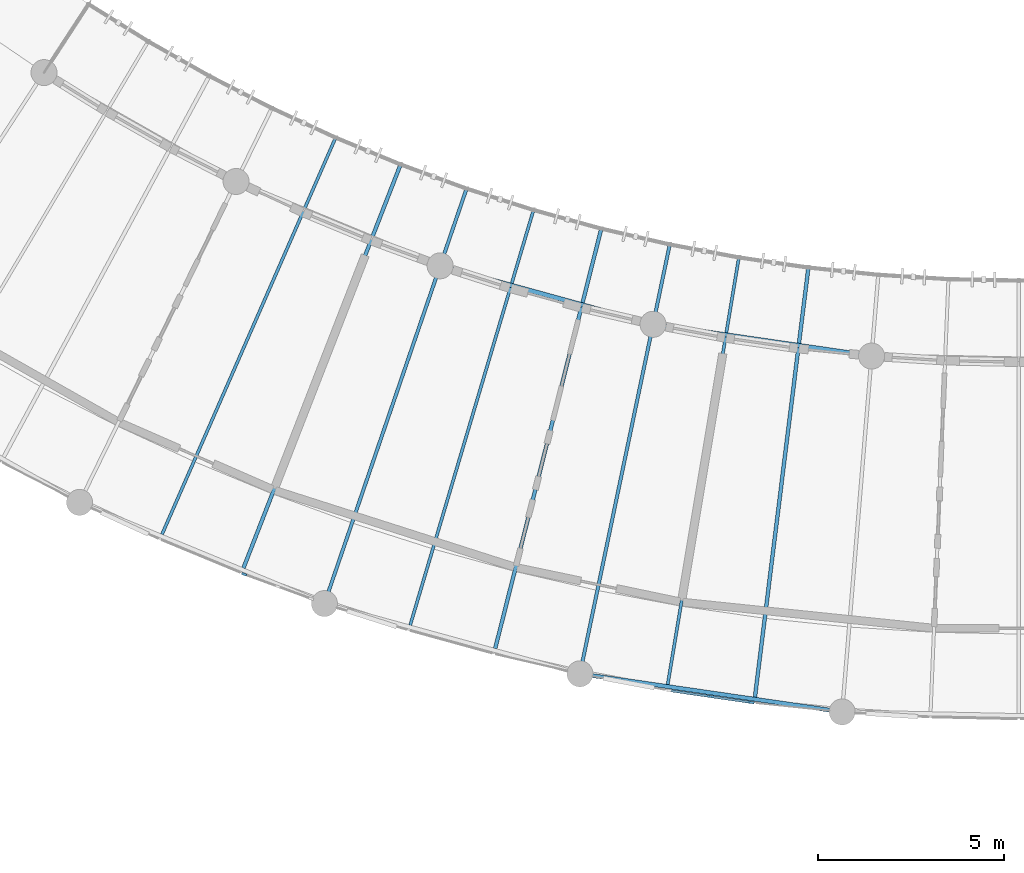
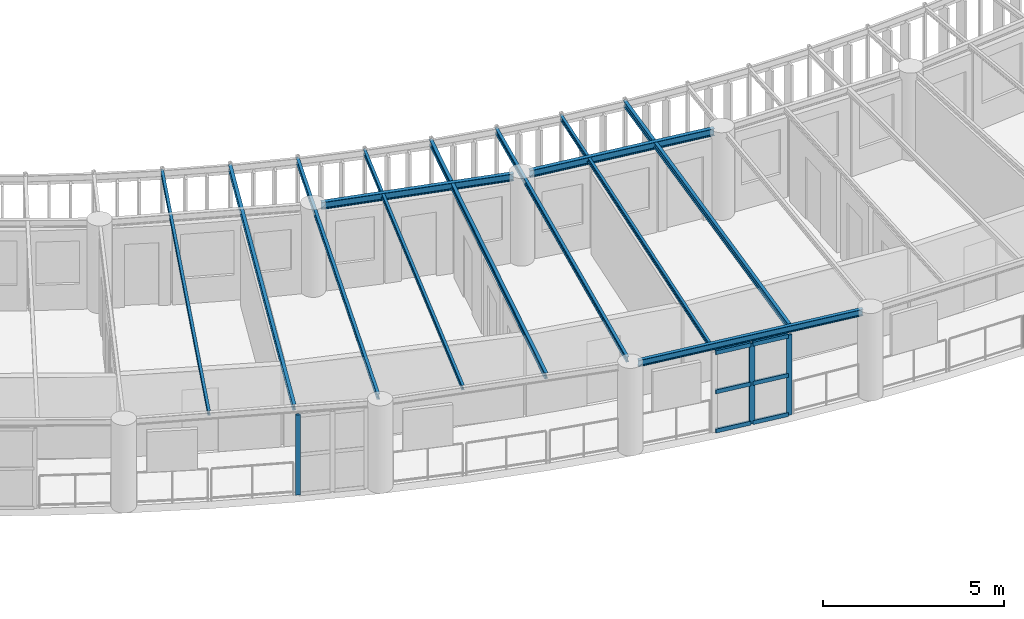
# One storey, part 4 of 123: 11 beams, 9 members, 2 elements without a shape of their own.
"""IFC4 building model written with IfcOpenShell, lengths in metres."""

import ifcopenshell
import ifcopenshell.guid

model = None  # the IFC model being written
_history = None  # IfcOwnerHistory: only IFC2X3 demands one
_inside = {}  # id of a spatial element -> (the spatial element, [elements in it])
_under = {}  # id of a project, library or spatial element -> (it, [spatial elements below it])
_declared = {}  # id of a project -> (the project, [libraries it declares])
_typed = {}  # id of a type object -> (the type object, [elements of that type])
_made_of = {}  # id of a material, layer set ... -> (it, [elements and type objects made of it])


def new_model(schema):
    """Start an empty IFC model of exactly this schema.

    Asked for "IFC4X3", IfcOpenShell would pick the latest addendum, in which some entities
    have other attributes; the version numbers below select the first issue.
    IFC2X3 requires an IfcOwnerHistory on every rooted entity: one is made here for all.
    """
    global model, _history
    if schema == "IFC4X3":
        model = ifcopenshell.file(schema_version=(4, 3, 0, 0))
    else:
        model = ifcopenshell.file(schema=schema)
    _inside.clear()
    _under.clear()
    _declared.clear()
    _typed.clear()
    _made_of.clear()
    _history = None
    if model.schema == "IFC2X3":
        org = make("IfcOrganization", Name="unknown")
        user = make(
            "IfcPersonAndOrganization",
            ThePerson=make("IfcPerson", FamilyName="unknown"),
            TheOrganization=org,
        )
        app = make(
            "IfcApplication",
            ApplicationDeveloper=org,
            Version="unknown",
            ApplicationFullName="unknown",
            ApplicationIdentifier="unknown",
        )
        _history = make(
            "IfcOwnerHistory",
            OwningUser=user,
            OwningApplication=app,
            ChangeAction="ADDED",
            CreationDate=0,
        )
    return model


def make(cls, **values):
    """One entity of the class cls with the attributes given. An attribute that is None is left unset."""
    return model.create_entity(
        cls, **{name: value for name, value in values.items() if value is not None}
    )


def rooted(cls, **values):
    """An entity with a GlobalId (a new one), such as an element, a storey or a relation."""
    return make(cls, GlobalId=ifcopenshell.guid.new(), OwnerHistory=_history, **values)


def si_unit(unit_type, name, prefix=None):
    """IfcSIUnit, for example si_unit("LENGTHUNIT", "METRE", prefix="MILLI")."""
    return make("IfcSIUnit", UnitType=unit_type, Prefix=prefix, Name=name)


def assignment(units):
    """IfcUnitAssignment: the units of a project."""
    return None if units is None else make("IfcUnitAssignment", Units=units)


def point(xyz):
    """IfcCartesianPoint."""
    return None if xyz is None else make("IfcCartesianPoint", Coordinates=xyz)


def direction(xyz):
    """IfcDirection."""
    return None if xyz is None else make("IfcDirection", DirectionRatios=xyz)


def frame(location, z_axis=None, x_axis=None):
    """IfcAxis2Placement3D, a coordinate frame: its origin and axes. An axis left out is left unset."""
    return make(
        "IfcAxis2Placement3D",
        Location=point(location),
        Axis=direction(z_axis),
        RefDirection=direction(x_axis),
    )


def frame_2d(location, x_axis=None):
    """IfcAxis2Placement2D, a coordinate frame in the plane: its origin and x axis."""
    return make(
        "IfcAxis2Placement2D", Location=point(location), RefDirection=direction(x_axis)
    )


def origin():
    """The frame at (0, 0, 0) with its axes left unset."""
    return frame((0.0, 0.0, 0.0))


def origin_2d():
    """The frame at (0, 0) in the plane with its x axis left unset."""
    return frame_2d((0.0, 0.0))


def place(relative_to, where):
    """IfcLocalPlacement: puts the frame where relative to a parent placement (None: the world)."""
    return make(
        "IfcLocalPlacement", PlacementRelTo=relative_to, RelativePlacement=where
    )


def context(
    kind, dimensions, precision=None, world=None, true_north=None, identifier=None
):
    """IfcGeometricRepresentationContext, for example the 3D "Model" context."""
    return make(
        "IfcGeometricRepresentationContext",
        ContextIdentifier=identifier,
        ContextType=kind,
        CoordinateSpaceDimension=dimensions,
        Precision=precision,
        WorldCoordinateSystem=world,
        TrueNorth=true_north,
    )


def subcontext(parent, identifier, kind, view, scale=None):
    """IfcGeometricRepresentationSubContext, for example "Body" below "Model"."""
    return make(
        "IfcGeometricRepresentationSubContext",
        ContextIdentifier=identifier,
        ContextType=kind,
        ParentContext=parent,
        TargetScale=scale,
        TargetView=view,
    )


def project(units=None, contexts=None):
    """IfcProject with its units and contexts."""
    return rooted(
        "IfcProject",
        Name="project",
        RepresentationContexts=contexts,
        UnitsInContext=assignment(units),
    )


def spatial(cls, under=None, at=None, **own):
    """A site, building, storey or space (cls), placed at a placement, below another one or the project."""
    s = rooted(cls, ObjectPlacement=at, **own)
    if under is not None:
        _under.setdefault(under.id(), (under, []))[1].append(s)
    return s


def profile(cls, at=None, kind="AREA", **sizes):
    """A parametric profile (cls). Its sizes go by their IFC names, for example OverallWidth=200.0."""
    return make(cls, ProfileType=kind, Position=at, **sizes)


def rectangle(**sizes):
    """IfcRectangleProfileDef."""
    return profile("IfcRectangleProfileDef", **sizes)


def i_section(**sizes):
    """IfcIShapeProfileDef."""
    return profile("IfcIShapeProfileDef", **sizes)


def extrude(swept, where, along, depth):
    """IfcExtrudedAreaSolid: the profile swept, set in the frame where, extruded along a direction by depth."""
    return make(
        "IfcExtrudedAreaSolid",
        SweptArea=swept,
        Position=where,
        ExtrudedDirection=direction(along),
        Depth=depth,
    )


def shape(context_of_items, identifier, shape_type, items):
    """IfcShapeRepresentation: the items that make up one representation, for example the "Body"."""
    return make(
        "IfcShapeRepresentation",
        ContextOfItems=context_of_items,
        RepresentationIdentifier=identifier,
        RepresentationType=shape_type,
        Items=items,
    )


def material(Name=None, Category=None):
    """IfcMaterial."""
    return make("IfcMaterial", Name=Name, Category=Category)


def layer(
    of_material, thickness, ventilated=None, Name=None, Category=None, Priority=None
):
    """IfcMaterialLayer: one layer of a wall or slab, of a material (None: an air gap)."""
    return make(
        "IfcMaterialLayer",
        Material=of_material,
        LayerThickness=thickness,
        IsVentilated=ventilated,
        Name=Name,
        Category=Category,
        Priority=Priority,
    )


def layer_set(layers, Name=None):
    """IfcMaterialLayerSet."""
    return make("IfcMaterialLayerSet", MaterialLayers=layers, LayerSetName=Name)


def material_profile(
    of_material, cross_section, Name=None, Category=None, Priority=None
):
    """IfcMaterialProfile: a cross section and its material."""
    return make(
        "IfcMaterialProfile",
        Name=Name,
        Material=of_material,
        Profile=cross_section,
        Priority=Priority,
        Category=Category,
    )


def profile_set(profiles, Name=None, composite=None):
    """IfcMaterialProfileSet."""
    return make(
        "IfcMaterialProfileSet",
        Name=Name,
        MaterialProfiles=profiles,
        CompositeProfile=composite,
    )


def made_of(thing, what):
    """Note that an element or type object is made of a material, layer set ...; save() writes the relation."""
    if what is not None:
        _made_of.setdefault(what.id(), (what, []))[1].append(thing)
    return thing


def type_object(cls, material=None, **own):
    """A type object (cls), such as IfcWallType, which elements share."""
    return made_of(rooted(cls, **own), material)


def element(
    cls,
    number,
    at=None,
    inside=None,
    cuts=None,
    type_object=None,
    material=None,
    context=None,
    identifier="Body",
    shape_type=None,
    held_by="IfcProductDefinitionShape",
    body=None,
    shapes=None,
    **own,
):
    """One element of the class cls, such as IfcWall. Its Tag is "e" and its number.

    at: its placement. inside: the storey or other place that contains it. cuts: it is an
    opening in that element (IfcRelVoidsElement). A single representation is given by context,
    identifier, shape_type and body (its items); several are given by shapes. held_by: the class
    of the entity that holds the representations. save() writes the other relations.
    """
    e = rooted(cls, Tag="e%d" % number, ObjectPlacement=at, **own)
    if body is not None:
        shapes = [shape(context, identifier, shape_type, body)]
    if shapes is not None:
        e.Representation = make(held_by, Representations=shapes)
    if inside is not None:
        _inside.setdefault(inside.id(), (inside, []))[1].append(e)
    if cuts is not None:
        rooted(
            "IfcRelVoidsElement", RelatingBuildingElement=cuts, RelatedOpeningElement=e
        )
    if type_object is not None:
        _typed.setdefault(type_object.id(), (type_object, []))[1].append(e)
    return made_of(e, material)


def aggregate(whole, parts):
    """IfcRelAggregates: a whole, such as a stair, and the parts it consists of."""
    return rooted("IfcRelAggregates", RelatingObject=whole, RelatedObjects=parts)


def save(model, path):
    """Write the relations noted so far, then the file.

    IfcRelAggregates (storeys below a building ...), IfcRelContainedInSpatialStructure (elements
    in a storey), IfcRelDefinesByType, IfcRelAssociatesMaterial and IfcRelDeclares: one each for
    every whole, place, type object, material and project.
    """
    for whole, parts in _under.values():
        aggregate(whole, parts)
    for where, things in _inside.values():
        rooted(
            "IfcRelContainedInSpatialStructure",
            RelatedElements=things,
            RelatingStructure=where,
        )
    for kind, things in _typed.values():
        rooted("IfcRelDefinesByType", RelatedObjects=things, RelatingType=kind)
    for what, things in _made_of.values():
        rooted("IfcRelAssociatesMaterial", RelatedObjects=things, RelatingMaterial=what)
    for by, libraries in _declared.values():
        rooted("IfcRelDeclares", RelatingContext=by, RelatedDefinitions=libraries)
    model.write(path)


model = new_model("IFC4")

# Units and contexts
model_context = context("Model", 3, precision=1e-05, world=origin(), true_north=direction((0.0, 1.0)))
body_context = subcontext(model_context, "Body", "Model", "MODEL_VIEW")
ifc_project = project(units=[si_unit("LENGTHUNIT", "METRE"), si_unit("AREAUNIT", "SQUARE_METRE"), si_unit("VOLUMEUNIT", "CUBIC_METRE"), si_unit("PLANEANGLEUNIT", "RADIAN"), si_unit("MASSUNIT", "GRAM", prefix="KILO"), si_unit("POWERUNIT", "WATT"), si_unit("THERMODYNAMICTEMPERATUREUNIT", "KELVIN")], contexts=[model_context])

# Site, building, storey
site_placement = place(None, origin())
site = spatial("IfcSite", under=ifc_project, at=site_placement, CompositionType="ELEMENT")
building_placement = place(site_placement, origin())
building = spatial("IfcBuilding", under=site, at=building_placement, Name="Ruvembo Vaulted Housing Court", CompositionType="ELEMENT")
storey_placement = place(building_placement, frame((0.0, 0.0, 7.699951171875)))
storey = spatial("IfcBuildingStorey", under=building, at=storey_placement, Name="L02", CompositionType="ELEMENT", Elevation=7.699951171875)

# Beams
ifc_material_1 = material(Name="Steel S355J2", Category="steel")
ifc_material_profile_1 = material_profile(ifc_material_1, i_section(OverallWidth=0.08203125, OverallDepth=0.159912109375, WebThickness=0.0048828125, FlangeThickness=0.00732421875, FilletRadius=0.009033203125, at=origin_2d()), Name="IPE 160")
ifc_profile_set_1 = profile_set([ifc_material_profile_1], Name="Steel S355J2")
beam_type_1 = type_object("IfcBeamType", Name="BM-ST-IPE160", PredefinedType="JOIST", material=ifc_profile_set_1)
beam_1_placement = place(storey_placement, frame((45.9658203125, 9.367919921875, 2.860107421875), z_axis=(0.400923991771, 0.916111321196, 0.0), x_axis=(-0.916111321196, 0.400923991771, 0.0)))
element("IfcBeam", 1, at=beam_1_placement, inside=storey, type_object=beam_type_1, Name="Scoop SC2 L02 Radial Steel Joist 4", PredefinedType="JOIST", context=body_context, shape_type="SweptSolid", body=[
    extrude(i_section(OverallWidth=0.08203125, OverallDepth=0.159912109375, WebThickness=0.0048828125, FlangeThickness=0.00732421875, FilletRadius=0.009033203125, at=origin_2d()), origin(), (0.0, 0.0, 1.0), 11.691650390625),
])
for number, where, z_axis, x_axis, name in (
    (2, (52.638916015625, 6.9267578125, 2.860107421875), (0.28479137609, 0.958589522217, 0.0), (-0.958589522217, 0.28479137609, 0.0), "Scoop SC2 L02 Radial Steel Joist 7"),
    (3, (59.5625, 5.328369140625, 2.860107421875), (0.164290631564, 0.986411977006, 0.0), (-0.986411977006, 0.164290631564, 0.0), "Scoop SC2 L02 Radial Steel Joist 10"),
):
    element("IfcBeam", number, at=place(storey_placement, frame(where, z_axis=z_axis, x_axis=x_axis)), inside=storey, type_object=beam_type_1, Name=name, PredefinedType="JOIST", context=body_context, shape_type="SweptSolid", body=[
        extrude(i_section(OverallWidth=0.08203125, OverallDepth=0.159912109375, WebThickness=0.0048828125, FlangeThickness=0.00732421875, FilletRadius=0.009033203125, at=origin_2d()), origin(), (0.0, 0.0, 1.0), 11.692138671875),
    ])
ifc_material_profile_2 = material_profile(ifc_material_1, i_section(OverallWidth=0.091064453125, OverallDepth=0.179931640625, WebThickness=0.00537109375, FlangeThickness=0.008056640625, FilletRadius=0.009033203125, at=origin_2d()), Name="IPE 180")
ifc_profile_set_2 = profile_set([ifc_material_profile_2], Name="Steel S355J2")
beam_type_2 = type_object("IfcBeamType", Name="BM-ST-IPE180", PredefinedType="JOIST", material=ifc_profile_set_2)
for number, where, z_axis, x_axis, name in (
    (4, (50.408203125, 7.72607421875, 2.85009765625), (0.324071094468, 0.946032729735, 0.0), (-0.946032729735, 0.324071094468, 0.0), "Scoop SC2 L02 Radial Steel Joist 6"),
    (5, (57.250244140625, 5.84619140625, 2.85009765625), (0.204819113589, 0.978799842005, 0.0), (-0.978799842005, 0.204819113589, 0.0), "Scoop SC2 L02 Radial Steel Joist 9"),
):
    element("IfcBeam", number, at=place(storey_placement, frame(where, z_axis=z_axis, x_axis=x_axis)), inside=storey, type_object=beam_type_2, Name=name, PredefinedType="JOIST", context=body_context, shape_type="SweptSolid", body=[
        extrude(i_section(OverallWidth=0.091064453125, OverallDepth=0.179931640625, WebThickness=0.00537109375, FlangeThickness=0.008056640625, FilletRadius=0.009033203125, at=origin_2d()), origin(), (0.0, 0.0, 1.0), 11.60986328125),
    ])
ifc_material_profile_3 = material_profile(ifc_material_1, i_section(OverallWidth=0.10009765625, OverallDepth=0.199951171875, WebThickness=0.005615234375, FlangeThickness=0.008544921875, FilletRadius=0.011962890625, at=origin_2d()), Name="IPE 200")
ifc_profile_set_3 = profile_set([ifc_material_profile_3], Name="Steel S355J2")
beam_type_3 = type_object("IfcBeamType", Name="BM-ST-IPE200", PredefinedType="BEAM", material=ifc_profile_set_3)
beam_2_placement = place(storey_placement, frame((48.156005859375, 8.46240234375, 2.840087890625), z_axis=(0.362802942669, 0.931865883478, 0.0), x_axis=(-0.931865883478, 0.362802942669, 0.0)))
element("IfcBeam", 6, at=beam_2_placement, inside=storey, type_object=beam_type_3, Name="Scoop SC2 L02 Radial Steel Joist 5", PredefinedType="BEAM", context=body_context, shape_type="SweptSolid", body=[
    extrude(i_section(OverallWidth=0.10009765625, OverallDepth=0.199951171875, WebThickness=0.005615234375, FlangeThickness=0.008544921875, FilletRadius=0.011962890625, at=origin_2d()), origin(), (0.0, 0.0, 1.0), 11.692138671875),
])
beam_3_placement = place(storey_placement, frame((54.92431640625, 6.299072265625, 2.840087890625), z_axis=(0.24500130138, 0.96952274977, 0.0), x_axis=(-0.96952274977, 0.24500130138, 0.0)))
element("IfcBeam", 7, at=beam_3_placement, inside=storey, type_object=beam_type_3, Name="Scoop SC2 L02 Radial Steel Joist 8", PredefinedType="BEAM", context=body_context, shape_type="SweptSolid", body=[
    extrude(i_section(OverallWidth=0.10009765625, OverallDepth=0.199951171875, WebThickness=0.005615234375, FlangeThickness=0.008544921875, FilletRadius=0.011962890625, at=origin_2d()), origin(), (0.0, 0.0, 1.0), 11.69189453125),
])
beam_4_placement = place(storey_placement, frame((61.907958984375, 4.9873046875, 2.840087890625), z_axis=(0.123446200649, 0.992351266208, 0.0), x_axis=(-0.992351266208, 0.123446200649, 0.0)))
element("IfcBeam", 8, at=beam_4_placement, inside=storey, type_object=beam_type_3, Name="Scoop SC2 L02 Radial Steel Joist 11", PredefinedType="BEAM", context=body_context, shape_type="SweptSolid", body=[
    extrude(i_section(OverallWidth=0.10009765625, OverallDepth=0.199951171875, WebThickness=0.005615234375, FlangeThickness=0.008544921875, FilletRadius=0.011962890625, at=origin_2d()), origin(), (0.0, 0.0, 1.0), 11.692138671875),
])
ifc_material_profile_4 = material_profile(ifc_material_1, i_section(OverallWidth=0.110107421875, OverallDepth=0.219970703125, WebThickness=0.005859375, FlangeThickness=0.00927734375, FilletRadius=0.011962890625, at=origin_2d()), Name="IPE 220")
ifc_profile_set_4 = profile_set([ifc_material_profile_4], Name="Steel S355J2")
beam_type_4 = type_object("IfcBeamType", Name="BM-ST-IPE220", PredefinedType="SPANDREL", material=ifc_profile_set_4)
beam_5_placement = place(storey_placement, frame((57.4306640625, 5.587890625, 2.83203125), z_axis=(0.98959175185, -0.143903317091, 0.0), x_axis=(0.143903317091, 0.98959175185, 0.0)))
element("IfcBeam", 9, at=beam_5_placement, inside=storey, type_object=beam_type_4, Name="Scoop SC2 L02 Chord Girder B9", PredefinedType="SPANDREL", context=body_context, shape_type="SweptSolid", body=[
    extrude(i_section(OverallWidth=0.110107421875, OverallDepth=0.219970703125, WebThickness=0.005859375, FlangeThickness=0.00927734375, FilletRadius=0.011962890625, at=origin_2d()), origin(), (0.0, 0.0, 1.0), 6.6640625),
])
ifc_material_profile_5 = material_profile(ifc_material_1, i_section(OverallWidth=0.1201171875, OverallDepth=0.239990234375, WebThickness=0.006103515625, FlangeThickness=0.009765625, FilletRadius=0.014892578125, at=origin_2d()), Name="IPE 240")
ifc_profile_set_5 = profile_set([ifc_material_profile_5], Name="Steel S355J2")
beam_type_5 = type_object("IfcBeamType", Name="BM-ST-IPE240", PredefinedType="BEAM", material=ifc_profile_set_5)
beam_6_placement = place(storey_placement, frame((53.66650390625, 16.529541015625, 2.822021484375), z_axis=(0.964256945688, -0.264968946658, 0.0), x_axis=(0.264968946658, 0.964256945688, 0.0)))
element("IfcBeam", 10, at=beam_6_placement, inside=storey, type_object=beam_type_5, Name="Scoop SC2 L02 Chord Girder F6", PredefinedType="BEAM", context=body_context, shape_type="SweptSolid", body=[
    extrude(i_section(OverallWidth=0.1201171875, OverallDepth=0.239990234375, WebThickness=0.006103515625, FlangeThickness=0.009765625, FilletRadius=0.014892578125, at=origin_2d()), origin(), (0.0, 0.0, 1.0), 5.476806640625),
])
beam_7_placement = place(storey_placement, frame((59.39697265625, 14.984375, 2.822021484375), z_axis=(0.989592441839, -0.143898572109, 0.0), x_axis=(0.143898572109, 0.989592441839, 0.0)))
element("IfcBeam", 11, at=beam_7_placement, inside=storey, type_object=beam_type_5, Name="Scoop SC2 L02 Chord Girder F9", PredefinedType="BEAM", context=body_context, shape_type="SweptSolid", body=[
    extrude(i_section(OverallWidth=0.1201171875, OverallDepth=0.239990234375, WebThickness=0.006103515625, FlangeThickness=0.009765625, FilletRadius=0.014892578125, at=origin_2d()), origin(), (0.0, 0.0, 1.0), 5.4765625),
])

# Curtain wall, member
ifc_material_2 = material(Name="Anodised Aluminium and Solar-Control Glass", Category="aluminium")
ifc_layer_1 = layer(ifc_material_2, 0.1201171875, Name="Anodised Aluminium and Solar-Control Glass")
ifc_layer_set_1 = layer_set([ifc_layer_1], Name="Anodised Aluminium and Solar-Control Glass")
curtain_wall_type_1 = type_object("IfcCurtainWallType", Name="CW-SCOOP-GAL", PredefinedType="NOTDEFINED", material=ifc_layer_set_1)
curtain_wall_1_placement = place(storey_placement, origin())
curtain_wall_1 = element("IfcCurtainWall", 12, at=curtain_wall_1_placement, inside=storey, type_object=curtain_wall_type_1, Name="L02 Curtain Wall CW-L02-0036", PredefinedType="NOTDEFINED")
ifc_material_3 = material(Name="Anodised Aluminium 6063-T6", Category="aluminium")
ifc_material_profile_6 = material_profile(ifc_material_3, rectangle(XDim=0.06005859375, YDim=0.139892578125, at=origin_2d()), Name="ALU 60x140")
ifc_profile_set_6 = profile_set([ifc_material_profile_6], Name="Anodised Aluminium 6063-T6")
member_type_1 = type_object("IfcMemberType", Name="CW-MUL-60x140", PredefinedType="MULLION", material=ifc_profile_set_6)
member_1_placement = place(storey_placement, frame((48.177490234375, 8.297119140625, 0.0), z_axis=(0.0, 0.0, 1.0), x_axis=(0.343530364672, 0.939141570025, 0.0)))
member_1 = element("IfcMember", 13, at=member_1_placement, type_object=member_type_1, Name="CW6 mullion 1", PredefinedType="MULLION", context=body_context, shape_type="SweptSolid", body=[
    extrude(rectangle(XDim=0.06005859375, YDim=0.139892578125, at=origin_2d()), origin(), (0.0, 0.0, 1.0), 2.697998046875),
])
aggregate(curtain_wall_1, [member_1])

# Curtain wall, members
ifc_layer_2 = layer(ifc_material_2, 0.139892578125, Name="Anodised Aluminium and Solar-Control Glass")
ifc_layer_set_2 = layer_set([ifc_layer_2], Name="Anodised Aluminium and Solar-Control Glass")
curtain_wall_type_2 = type_object("IfcCurtainWallType", Name="CW-SCOOP-PAN", PredefinedType="NOTDEFINED", material=ifc_layer_set_2)
curtain_wall_2_placement = place(storey_placement, origin())
curtain_wall_2 = element("IfcCurtainWall", 14, at=curtain_wall_2_placement, inside=storey, type_object=curtain_wall_type_2, Name="L02 Curtain Wall CW-L02-0037", PredefinedType="NOTDEFINED")
ifc_material_profile_7 = material_profile(ifc_material_3, rectangle(XDim=0.06005859375, YDim=0.159912109375, at=origin_2d()), Name="ALU 60x160")
ifc_profile_set_7 = profile_set([ifc_material_profile_7], Name="Anodised Aluminium 6063-T6")
member_type_2 = type_object("IfcMemberType", Name="CW-MULLION-65x150", PredefinedType="MULLION", material=ifc_profile_set_7)
member_2_placement = place(storey_placement, frame((60.7138671875, 5.011474609375, 0.0), z_axis=(0.0, 0.0, 1.0), x_axis=(0.143850661969, 0.989599407362, 0.0)))
member_2 = element("IfcMember", 15, at=member_2_placement, type_object=member_type_2, Name="CW10 mullion 2", PredefinedType="MULLION", context=body_context, shape_type="SweptSolid", body=[
    extrude(rectangle(XDim=0.06005859375, YDim=0.159912109375, at=origin_2d()), origin(), (0.0, 0.0, 1.0), 2.697998046875),
])
member_3_placement = place(storey_placement, frame((61.810302734375, 4.85205078125, 0.0), z_axis=(0.0, 0.0, 1.0), x_axis=(0.143850661969, 0.989599407362, 0.0)))
member_3 = element("IfcMember", 16, at=member_3_placement, type_object=member_type_2, Name="CW10 mullion 3", PredefinedType="MULLION", context=body_context, shape_type="SweptSolid", body=[
    extrude(rectangle(XDim=0.06005859375, YDim=0.159912109375, at=origin_2d()), origin(), (0.0, 0.0, 1.0), 2.697998046875),
])
ifc_material_profile_8 = material_profile(ifc_material_3, rectangle(XDim=0.06494140625, YDim=0.135009765625, at=origin_2d()), Name="ALU 65x135")
ifc_profile_set_8 = profile_set([ifc_material_profile_8], Name="Anodised Aluminium 6063-T6")
member_type_3 = type_object("IfcMemberType", Name="CW-TRN-65x135", PredefinedType="USERDEFINED", material=ifc_profile_set_8)
member_4_placement = place(storey_placement, frame((59.647216796875, 5.16650390625, 0.032470703125), z_axis=(0.989615981538, -0.143736596189, 0.0), x_axis=(0.143736596189, 0.989615981538, 0.0)))
member_4 = element("IfcMember", 17, at=member_4_placement, type_object=member_type_3, Name="CW10 transom 1.1", ObjectType="TRANSOM", PredefinedType="USERDEFINED", context=body_context, shape_type="SweptSolid", body=[
    extrude(rectangle(XDim=0.06494140625, YDim=0.135009765625, at=origin_2d()), origin(), (0.0, 0.0, 1.0), 1.048095703125),
])
member_5_placement = place(storey_placement, frame((59.647216796875, 5.16650390625, 1.34912109375), z_axis=(0.989615981538, -0.143736596189, 0.0), x_axis=(0.143736596189, 0.989615981538, 0.0)))
member_5 = element("IfcMember", 18, at=member_5_placement, type_object=member_type_3, Name="CW10 transom 1.2", ObjectType="TRANSOM", PredefinedType="USERDEFINED", context=body_context, shape_type="SweptSolid", body=[
    extrude(rectangle(XDim=0.06494140625, YDim=0.135009765625, at=origin_2d()), origin(), (0.0, 0.0, 1.0), 1.048095703125),
])
member_6_placement = place(storey_placement, frame((59.647216796875, 5.16650390625, 2.66552734375), z_axis=(0.989615981538, -0.143736596189, 0.0), x_axis=(0.143736596189, 0.989615981538, 0.0)))
member_6 = element("IfcMember", 19, at=member_6_placement, type_object=member_type_3, Name="CW10 transom 1.3", ObjectType="TRANSOM", PredefinedType="USERDEFINED", context=body_context, shape_type="SweptSolid", body=[
    extrude(rectangle(XDim=0.06494140625, YDim=0.135009765625, at=origin_2d()), origin(), (0.0, 0.0, 1.0), 1.048095703125),
])
member_7_placement = place(storey_placement, frame((60.74365234375, 5.007080078125, 0.032470703125), z_axis=(0.989615981538, -0.143736596189, 0.0), x_axis=(0.143736596189, 0.989615981538, 0.0)))
member_7 = element("IfcMember", 20, at=member_7_placement, type_object=member_type_3, Name="CW10 transom 2.1", ObjectType="TRANSOM", PredefinedType="USERDEFINED", context=body_context, shape_type="SweptSolid", body=[
    extrude(rectangle(XDim=0.06494140625, YDim=0.135009765625, at=origin_2d()), origin(), (0.0, 0.0, 1.0), 1.048095703125),
])
member_8_placement = place(storey_placement, frame((60.74365234375, 5.007080078125, 1.34912109375), z_axis=(0.989615981538, -0.143736596189, 0.0), x_axis=(0.143736596189, 0.989615981538, 0.0)))
member_8 = element("IfcMember", 21, at=member_8_placement, type_object=member_type_3, Name="CW10 transom 2.2", ObjectType="TRANSOM", PredefinedType="USERDEFINED", context=body_context, shape_type="SweptSolid", body=[
    extrude(rectangle(XDim=0.06494140625, YDim=0.135009765625, at=origin_2d()), origin(), (0.0, 0.0, 1.0), 1.048095703125),
])
member_9_placement = place(storey_placement, frame((60.74365234375, 5.007080078125, 2.66552734375), z_axis=(0.989615981538, -0.143736596189, 0.0), x_axis=(0.143736596189, 0.989615981538, 0.0)))
member_9 = element("IfcMember", 22, at=member_9_placement, type_object=member_type_3, Name="CW10 transom 2.3", ObjectType="TRANSOM", PredefinedType="USERDEFINED", context=body_context, shape_type="SweptSolid", body=[
    extrude(rectangle(XDim=0.06494140625, YDim=0.135009765625, at=origin_2d()), origin(), (0.0, 0.0, 1.0), 1.048095703125),
])
aggregate(curtain_wall_2, [member_2, member_3, member_4, member_5, member_6, member_7, member_8, member_9])

save(model, "model.ifc")
